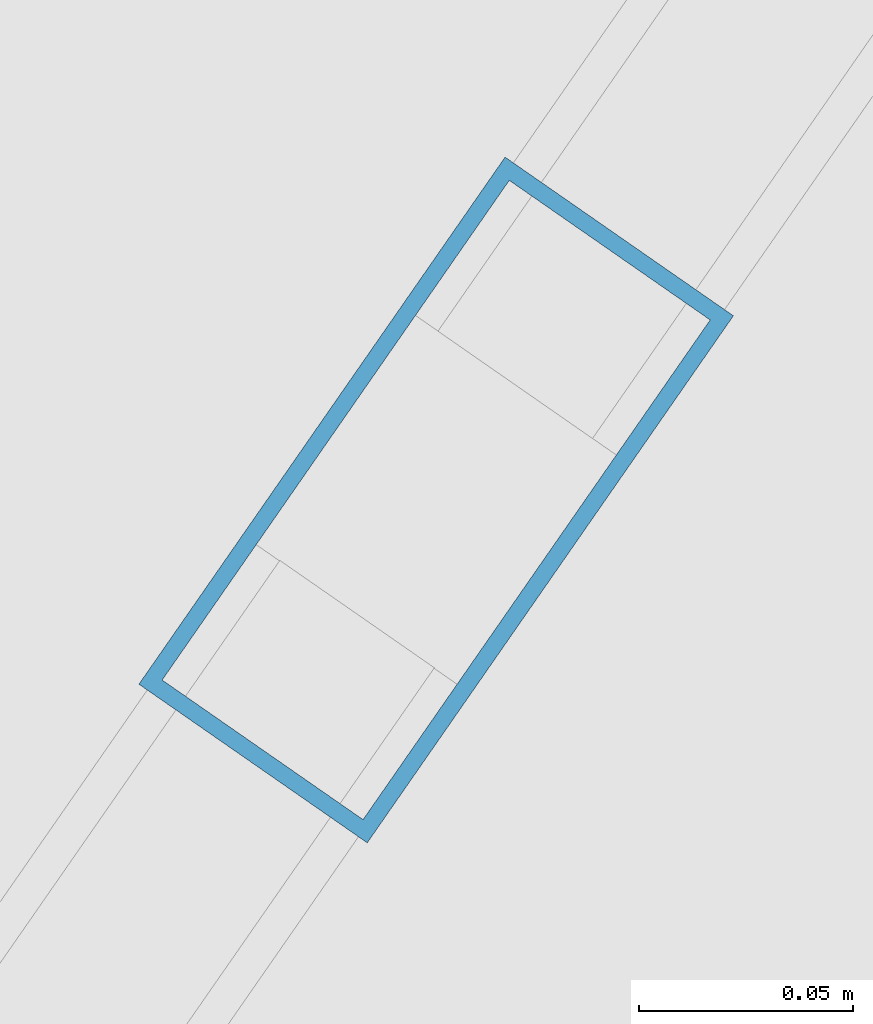
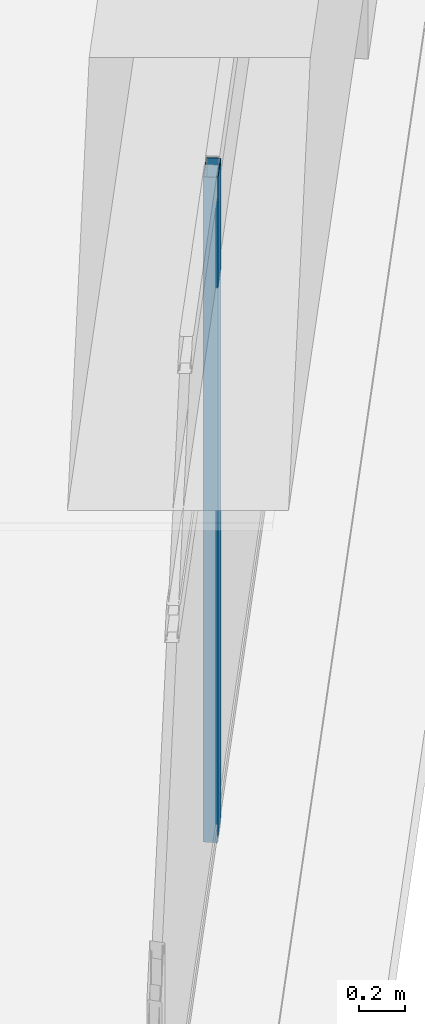
# One storey, part 12 of 40: 1 member, 1 element without a shape of its own.
"""IFC4 building model written with IfcOpenShell, lengths in metres."""

from ifc_helpers import new_model, si_unit, direction, frame, origin, origin_2d, place, context, subcontext, project, spatial, hollow_rectangle, extrude, source, transform, mapped, material, layer, layer_set, material_profile, profile_set, type_object, element, aggregate, save


model = new_model("IFC4")

# Units and contexts
model_context = context("Model", 3, precision=1e-05, world=origin(), true_north=direction((0.0, 1.0)))
body_context = subcontext(model_context, "Body", "Model", "MODEL_VIEW")
ifc_project = project(units=[si_unit("LENGTHUNIT", "METRE"), si_unit("AREAUNIT", "SQUARE_METRE"), si_unit("VOLUMEUNIT", "CUBIC_METRE"), si_unit("PLANEANGLEUNIT", "RADIAN"), si_unit("MASSUNIT", "GRAM", prefix="KILO")], contexts=[model_context])

# Site, building, storey
site_placement = place(None, origin())
site = spatial("IfcSite", under=ifc_project, at=site_placement, CompositionType="ELEMENT")
building_placement = place(site_placement, origin())
building = spatial("IfcBuilding", under=site, at=building_placement, Name="Liaohun Quay Tower", CompositionType="ELEMENT")
storey_placement = place(building_placement, frame((0.0, 0.0, 351.0)))
storey = spatial("IfcBuildingStorey", under=building, at=storey_placement, Name="L91", CompositionType="ELEMENT", Elevation=351.0)

# Curtain wall, member
ifc_material_1 = material(Name="Observation gallery panoramic triple-glazed curtain wall")
ifc_layer = layer(ifc_material_1, 0.219970703125, Name="Observation gallery panoramic triple-glazed curtain wall")
ifc_layer_set = layer_set([ifc_layer], Name="Observation gallery panoramic triple-glazed curtain wall")
curtain_wall_type = type_object("IfcCurtainWallType", Name="CW-OBS-CRN", PredefinedType="NOTDEFINED", material=ifc_layer_set)
curtain_wall_placement = place(storey_placement, origin())
curtain_wall = element("IfcCurtainWall", 1, at=curtain_wall_placement, inside=storey, type_object=curtain_wall_type, Name="L91 Panoramic Belvedere Curtain Wall 01", PredefinedType="NOTDEFINED")
ifc_material_2 = material(Name="Anodised aluminium 6063-T6", Category="aluminium")
ifc_material_profile = material_profile(ifc_material_2, hollow_rectangle(XDim=0.06494140625, YDim=0.14990234375, WallThickness=0.00390625, at=origin_2d()), Name="RHS150x65x4")
ifc_profile_set = profile_set([ifc_material_profile], Name="Anodised aluminium 6063-T6")
member_type = type_object("IfcMemberType", Name="MEM-CWM-SKY", PredefinedType="MULLION", material=ifc_profile_set)
shared_shape = source(origin(), body_context, "Body", "SweptSolid", [
    extrude(hollow_rectangle(XDim=0.06494140625, YDim=0.14990234375, WallThickness=0.00390625, at=origin_2d()), origin(), (0.0, 0.0, 1.0), 3.5),
])
member_placement = place(storey_placement, frame((70.875, 32.62890625, 0.0), z_axis=(0.0, 0.0, 1.0), x_axis=(-0.821259996973, 0.570554131851, 0.0)))
member = element("IfcMember", 2, at=member_placement, type_object=member_type, Name="CW6 mullion 3", PredefinedType="MULLION", context=body_context, shape_type="MappedRepresentation", body=[
    mapped(shared_shape, transform((0.0, 0.0, 0.0), x_axis=(1.0, 0.0, 0.0), y_axis=(0.0, 1.0, 0.0), z_axis=(0.0, 0.0, 1.0), scale=1.0)),
])
aggregate(curtain_wall, [member])

save(model, "model.ifc")
